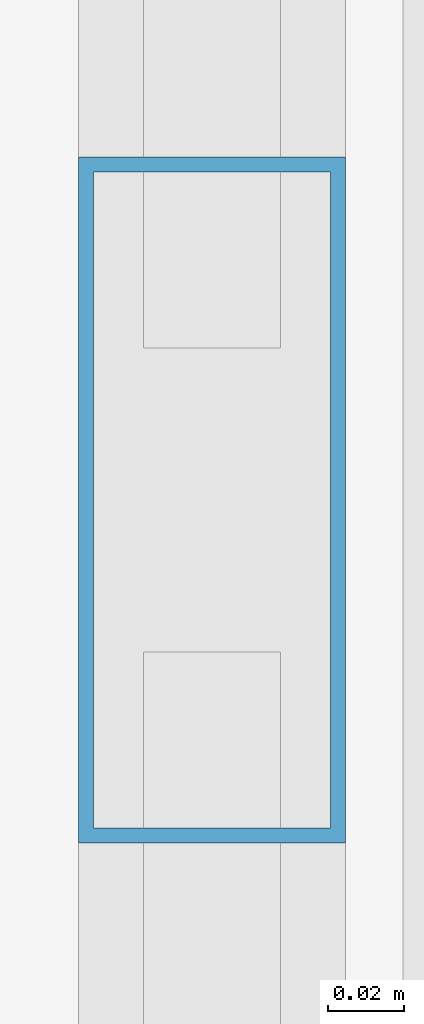
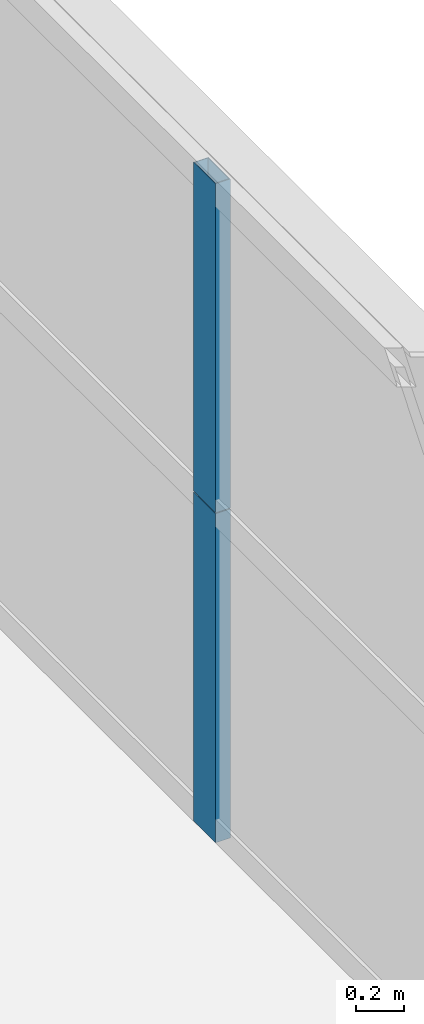
# One storey, part 17 of 38: 2 members, 1 element without a shape of its own.
"""IFC4 building model written with IfcOpenShell, lengths in metres."""

from ifc_helpers import new_model, si_unit, direction, frame, origin, origin_2d, place, context, subcontext, project, spatial, hollow_rectangle, extrude, source, transform, mapped, material, layer, layer_set, material_profile, profile_set, type_object, element, aggregate, save


model = new_model("IFC4")

# Units and contexts
model_context = context("Model", 3, precision=1e-05, world=origin(), true_north=direction((0.0, 1.0)))
body_context = subcontext(model_context, "Body", "Model", "MODEL_VIEW")
ifc_project = project(units=[si_unit("LENGTHUNIT", "METRE"), si_unit("AREAUNIT", "SQUARE_METRE"), si_unit("VOLUMEUNIT", "CUBIC_METRE"), si_unit("PLANEANGLEUNIT", "RADIAN"), si_unit("MASSUNIT", "GRAM", prefix="KILO"), si_unit("THERMODYNAMICTEMPERATUREUNIT", "KELVIN"), si_unit("POWERUNIT", "WATT")], contexts=[model_context])

# Site, building, storey
site_placement = place(None, origin())
site = spatial("IfcSite", under=ifc_project, at=site_placement, CompositionType="ELEMENT")
building_placement = place(site_placement, origin())
building = spatial("IfcBuilding", under=site, at=building_placement, Name="Yuzanri Waterfront Tower", CompositionType="ELEMENT")
storey_placement = place(building_placement, frame((0.0, 0.0, 126.199951171875)))
storey = spatial("IfcBuildingStorey", under=building, at=storey_placement, Name="L33", CompositionType="ELEMENT", Elevation=126.199951171875)

# Curtain wall, members
ifc_material_1 = material(Name="Anodized Architectural Bronze", Category="metal")
ifc_layer = layer(ifc_material_1, 0.159912109375)
ifc_layer_set = layer_set([ifc_layer], Name="Anodized Architectural Bronze")
curtain_wall_type = type_object("IfcCurtainWallType", Name="Anodized Bronze Hotel Upper-Tier Solar-Control Unitized Curtain Wall 7800", PredefinedType="NOTDEFINED", material=ifc_layer_set)
curtain_wall_placement = place(storey_placement, origin())
curtain_wall = element("IfcCurtainWall", 1, at=curtain_wall_placement, inside=storey, type_object=curtain_wall_type, Name="L33 Curtain Wall CW-L33-EL", PredefinedType="NOTDEFINED")
ifc_material_2 = material(Name="Anodized Architectural Bronze", Category="metal")
ifc_material_profile = material_profile(ifc_material_2, hollow_rectangle(XDim=0.070068359375, YDim=0.179931640625, WallThickness=0.00390625, at=origin_2d()), Name="CWM 70x180")
ifc_profile_set = profile_set([ifc_material_profile], Name="Anodized Architectural Bronze")
member_type = type_object("IfcMemberType", Name="Anodized Bronze Standard Curtain-Wall Mullion 70x180", PredefinedType="MULLION", material=ifc_profile_set)
shared_shape = source(origin(), body_context, "Body", "SweptSolid", [
    extrude(hollow_rectangle(XDim=0.070068359375, YDim=0.179931640625, WallThickness=0.00390625, at=origin_2d()), origin(), (0.0, 0.0, 1.0), 1.657958984375),
])
member_1_placement = place(storey_placement, frame((60.449951171875, 17.449951171875, 0.0), z_axis=(0.0, 0.0, 1.0), x_axis=(1.0, 0.0, 0.0)))
member_1 = element("IfcMember", 2, at=member_1_placement, type_object=member_type, Name="CW-L33-EL Lower Mullion 01", PredefinedType="MULLION", context=body_context, shape_type="MappedRepresentation", body=[
    mapped(shared_shape, transform((0.0, 0.0, 0.0), scale=1.0)),
])
member_2_placement = place(storey_placement, frame((60.449951171875, 17.449951171875, 1.662109375), z_axis=(0.0, 0.0, 1.0), x_axis=(1.0, 0.0, 0.0)))
member_2 = element("IfcMember", 3, at=member_2_placement, type_object=member_type, Name="CW-L33-EL Upper Mullion 01", PredefinedType="MULLION", context=body_context, shape_type="MappedRepresentation", body=[
    mapped(shared_shape, transform((0.0, 0.0, 0.0), scale=1.0)),
])
aggregate(curtain_wall, [member_1, member_2])

save(model, "model.ifc")
